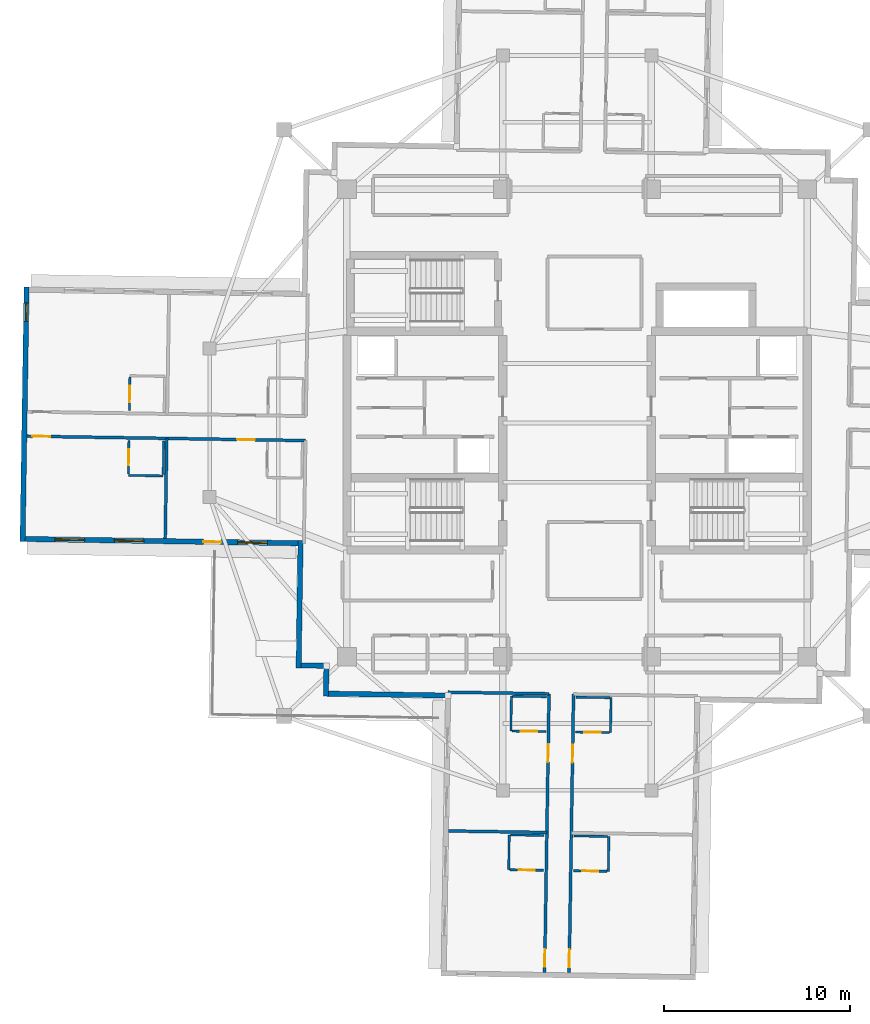
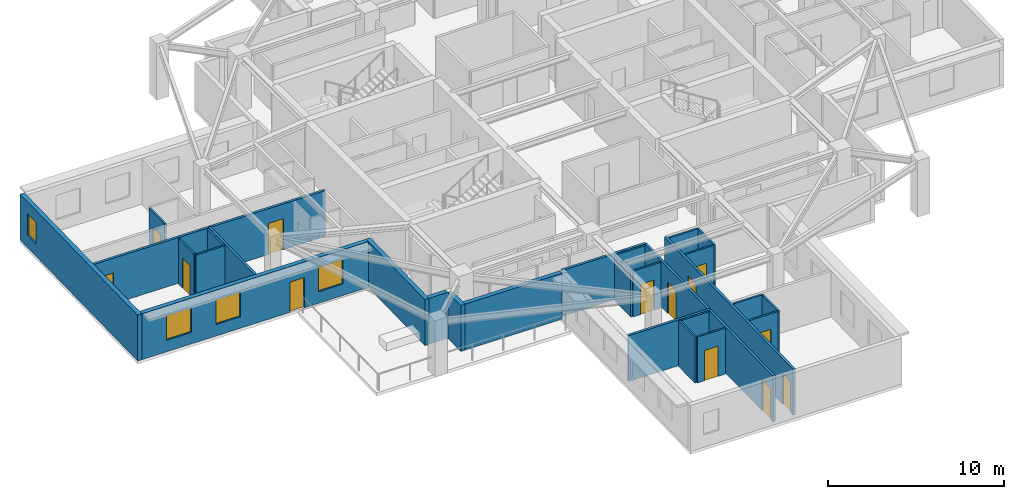
# One storey, part 3 of 12: 28 walls, 13 doors, 4 windows, 17 openings.
"""IFC4 building model written with IfcOpenShell, lengths in metres."""

from ifc_helpers import new_model, si_unit, direction, frame, frame_2d, origin, place, context, subcontext, project, spatial, rectangle, extrude, material, layer, layer_set, type_object, element, fill, save


model = new_model("IFC4")

# Units and contexts
model_context = context("Model", 3, precision=1e-05, world=origin(), true_north=direction((0.0, 1.0)))
body_context = subcontext(model_context, "Body", "Model", "MODEL_VIEW")
ifc_project = project(units=[si_unit("LENGTHUNIT", "METRE"), si_unit("AREAUNIT", "SQUARE_METRE"), si_unit("VOLUMEUNIT", "CUBIC_METRE"), si_unit("PLANEANGLEUNIT", "RADIAN"), si_unit("MASSUNIT", "GRAM", prefix="KILO")], contexts=[model_context])

# Site, building, storey
site_placement = place(None, origin())
site = spatial("IfcSite", under=ifc_project, at=site_placement, CompositionType="ELEMENT")
building_placement = place(site_placement, origin())
building = spatial("IfcBuilding", under=site, at=building_placement, Name="Qingluan Cross Belvedere", CompositionType="ELEMENT")
storey_placement = place(building_placement, frame((0.0, 0.0, 261.60009765625)))
storey = spatial("IfcBuildingStorey", under=building, at=storey_placement, Name="L65", CompositionType="ELEMENT", Elevation=261.60009765625)

# Wall, openings, doors
ifc_material_1 = material(Name="Gypsum plasterboard on steel stud acoustic partition", Category="steel")
ifc_layer_1 = layer(ifc_material_1, 0.159912109375, Name="CorridorPartition_160")
ifc_layer_set_1 = layer_set([ifc_layer_1], Name="Gypsum plasterboard on steel stud acoustic partition")
wall_type_1 = type_object("IfcWallType", Name="CorridorPartition_160", PredefinedType="PARTITIONING", material=ifc_layer_set_1)
wall_1_placement = place(storey_placement, frame((-14.63671875, -0.9501953125, 0.0), z_axis=(0.0, 0.0, 1.0), x_axis=(-0.999876590701, 0.015709976686, 0.0)))
wall_1 = element("IfcWall", 1, at=wall_1_placement, inside=storey, type_object=wall_type_1, Name="Partition L65:W:c1", PredefinedType="PARTITIONING", context=body_context, shape_type="SweptSolid", body=[
    extrude(rectangle(XDim=15.01220703125, YDim=0.159912109375, at=frame_2d((7.506103515625, 0.0))), origin(), (0.0, 0.0, 1.0), 3.169921875),
])
opening_1_placement = place(wall_1_placement, frame((2.72802734375, 0.0, 0.0)))
opening_1 = element("IfcOpeningElement", 2, at=opening_1_placement, cuts=wall_1, Name="Opening GD-10", PredefinedType="OPENING", context=body_context, shape_type="SweptSolid", body=[
    extrude(rectangle(XDim=0.9599609375, YDim=2.14990234375, at=frame_2d((0.47998046875, 1.074951171875))), frame((0.0, 0.08984375, 0.0), z_axis=(0.0, -1.0, 0.0), x_axis=(1.0, 0.0, 0.0)), (0.0, 0.0, 1.0), 0.179931640625),
])
opening_2_placement = place(wall_1_placement, frame((13.760009765625, 0.0, 0.0)))
opening_2 = element("IfcOpeningElement", 3, at=opening_2_placement, cuts=wall_1, Name="Opening GD-10", PredefinedType="OPENING", context=body_context, shape_type="SweptSolid", body=[
    extrude(rectangle(XDim=0.9599609375, YDim=2.14990234375, at=frame_2d((0.47998046875, 1.074951171875))), frame((0.0, 0.08984375, 0.0), z_axis=(0.0, -1.0, 0.0), x_axis=(1.0, 0.0, 0.0)), (0.0, 0.0, 1.0), 0.179931640625),
])
ifc_material_2 = material(Name="Timber oak fire-rated acoustic guestroom door", Category="wood")
door_type_1 = type_object("IfcDoorType", Name="GuestEntryDoor_FD60", OperationType="NOTDEFINED", PredefinedType="DOOR", material=ifc_material_2)
door_1_placement = place(opening_1_placement, origin())
door_1 = element("IfcDoor", 4, at=door_1_placement, inside=storey, type_object=door_type_1, Name="Guest entry fire door 6507", OperationType="SINGLE_SWING_RIGHT", OverallHeight=2.14990234375, OverallWidth=0.9599609375, PredefinedType="DOOR", context=body_context, shape_type="SweptSolid", body=[
    extrude(rectangle(XDim=0.9599609375, YDim=2.14990234375, at=frame_2d((0.47998046875, 1.074951171875))), frame((0.0, 0.02490234375, 0.0), z_axis=(0.0, -1.0, 0.0), x_axis=(1.0, 0.0, 0.0)), (0.0, 0.0, 1.0), 0.050048828125),
])
fill(opening_1, door_1)
door_2_placement = place(opening_2_placement, origin())
door_2 = element("IfcDoor", 5, at=door_2_placement, inside=storey, type_object=door_type_1, Name="Guest entry fire door 6508", OperationType="SINGLE_SWING_RIGHT", OverallHeight=2.14990234375, OverallWidth=0.9599609375, PredefinedType="DOOR", context=body_context, shape_type="SweptSolid", body=[
    extrude(rectangle(XDim=0.9599609375, YDim=2.14990234375, at=frame_2d((0.47998046875, 1.074951171875))), frame((0.0, 0.02490234375, 0.0), z_axis=(0.0, -1.0, 0.0), x_axis=(1.0, 0.0, 0.0)), (0.0, 0.0, 1.0), 0.050048828125),
])
fill(opening_2, door_2)

# Wall
wall_2_placement = place(storey_placement, frame((-22.11279296875, -0.832763671875, 0.0), z_axis=(0.0, 0.0, 1.0), x_axis=(-0.015711505169, -0.999876566685, 0.0)))
element("IfcWall", 6, at=wall_2_placement, inside=storey, type_object=wall_type_1, Name="Partition L65:W:d1_0", PredefinedType="PARTITIONING", context=body_context, shape_type="SweptSolid", body=[
    extrude(rectangle(XDim=5.39208984375, YDim=0.159912109375, at=frame_2d((2.696044921875, 0.0))), origin(), (0.0, 0.0, 1.0), 3.169921875),
])

# Wall, openings, doors
wall_3_placement = place(storey_placement, frame((-0.189697265625, -14.618896484375, 0.0), z_axis=(0.0, 0.0, 1.0), x_axis=(-0.015710232149, -0.999876586687, 0.0)))
wall_3 = element("IfcWall", 7, at=wall_3_placement, inside=storey, type_object=wall_type_1, Name="Partition L65:S:c0", PredefinedType="PARTITIONING", context=body_context, shape_type="SweptSolid", body=[
    extrude(rectangle(XDim=15.011962890625, YDim=0.159912109375, at=frame_2d((7.505859375, 0.0))), origin(), (0.0, 0.0, 1.0), 3.169921875),
])
opening_3_placement = place(wall_3_placement, frame((2.72802734375, 0.0, 0.0)))
opening_3 = element("IfcOpeningElement", 8, at=opening_3_placement, cuts=wall_3, Name="Opening GD-10", PredefinedType="OPENING", context=body_context, shape_type="SweptSolid", body=[
    extrude(rectangle(XDim=0.9599609375, YDim=2.14990234375, at=frame_2d((0.47998046875, 1.074951171875))), frame((0.0, 0.08984375, 0.0), z_axis=(0.0, -1.0, 0.0), x_axis=(1.0, 0.0, 0.0)), (0.0, 0.0, 1.0), 0.179931640625),
])
opening_4_placement = place(wall_3_placement, frame((13.760009765625, 0.0, 0.0)))
opening_4 = element("IfcOpeningElement", 9, at=opening_4_placement, cuts=wall_3, Name="Opening GD-10", PredefinedType="OPENING", context=body_context, shape_type="SweptSolid", body=[
    extrude(rectangle(XDim=0.9599609375, YDim=2.14990234375, at=frame_2d((0.47998046875, 1.074951171875))), frame((0.0, 0.08984375, 0.0), z_axis=(0.0, -1.0, 0.0), x_axis=(1.0, 0.0, 0.0)), (0.0, 0.0, 1.0), 0.179931640625),
])
door_3_placement = place(opening_3_placement, origin())
door_3 = element("IfcDoor", 10, at=door_3_placement, inside=storey, type_object=door_type_1, Name="Guest entry fire door 6513", OperationType="SINGLE_SWING_RIGHT", OverallHeight=2.14990234375, OverallWidth=0.9599609375, PredefinedType="DOOR", context=body_context, shape_type="SweptSolid", body=[
    extrude(rectangle(XDim=0.9599609375, YDim=2.14990234375, at=frame_2d((0.47998046875, 1.074951171875))), frame((0.0, 0.02490234375, 0.0), z_axis=(0.0, -1.0, 0.0), x_axis=(1.0, 0.0, 0.0)), (0.0, 0.0, 1.0), 0.050048828125),
])
fill(opening_3, door_3)
door_4_placement = place(opening_4_placement, origin())
door_4 = element("IfcDoor", 11, at=door_4_placement, inside=storey, type_object=door_type_1, Name="Guest entry fire door 6514", OperationType="SINGLE_SWING_RIGHT", OverallHeight=2.14990234375, OverallWidth=0.9599609375, PredefinedType="DOOR", context=body_context, shape_type="SweptSolid", body=[
    extrude(rectangle(XDim=0.9599609375, YDim=2.14990234375, at=frame_2d((0.47998046875, 1.074951171875))), frame((0.0, 0.02490234375, 0.0), z_axis=(0.0, -1.0, 0.0), x_axis=(1.0, 0.0, 0.0)), (0.0, 0.0, 1.0), 0.050048828125),
])
fill(opening_4, door_4)

wall_4_placement = place(storey_placement, frame((-1.509521484375, -14.59814453125, 0.0), z_axis=(0.0, 0.0, 1.0), x_axis=(-0.015709976686, -0.999876590701, 0.0)))
wall_4 = element("IfcWall", 12, at=wall_4_placement, inside=storey, type_object=wall_type_1, Name="Partition L65:S:c1", PredefinedType="PARTITIONING", context=body_context, shape_type="SweptSolid", body=[
    extrude(rectangle(XDim=15.01220703125, YDim=0.159912109375, at=frame_2d((7.506103515625, 0.0))), origin(), (0.0, 0.0, 1.0), 3.169921875),
])
opening_5_placement = place(wall_4_placement, frame((2.72802734375, 0.0, 0.0)))
opening_5 = element("IfcOpeningElement", 13, at=opening_5_placement, cuts=wall_4, Name="Opening GD-10", PredefinedType="OPENING", context=body_context, shape_type="SweptSolid", body=[
    extrude(rectangle(XDim=0.9599609375, YDim=2.14990234375, at=frame_2d((0.47998046875, 1.074951171875))), frame((0.0, 0.08984375, 0.0), z_axis=(0.0, -1.0, 0.0), x_axis=(1.0, 0.0, 0.0)), (0.0, 0.0, 1.0), 0.179931640625),
])
opening_6_placement = place(wall_4_placement, frame((13.760009765625, 0.0, 0.0)))
opening_6 = element("IfcOpeningElement", 14, at=opening_6_placement, cuts=wall_4, Name="Opening GD-10", PredefinedType="OPENING", context=body_context, shape_type="SweptSolid", body=[
    extrude(rectangle(XDim=0.9599609375, YDim=2.14990234375, at=frame_2d((0.47998046875, 1.074951171875))), frame((0.0, 0.08984375, 0.0), z_axis=(0.0, -1.0, 0.0), x_axis=(1.0, 0.0, 0.0)), (0.0, 0.0, 1.0), 0.179931640625),
])
door_5_placement = place(opening_5_placement, origin())
door_5 = element("IfcDoor", 15, at=door_5_placement, inside=storey, type_object=door_type_1, Name="Guest entry fire door 6515", OperationType="SINGLE_SWING_RIGHT", OverallHeight=2.14990234375, OverallWidth=0.9599609375, PredefinedType="DOOR", context=body_context, shape_type="SweptSolid", body=[
    extrude(rectangle(XDim=0.9599609375, YDim=2.14990234375, at=frame_2d((0.47998046875, 1.074951171875))), frame((0.0, 0.02490234375, 0.0), z_axis=(0.0, -1.0, 0.0), x_axis=(1.0, 0.0, 0.0)), (0.0, 0.0, 1.0), 0.050048828125),
])
fill(opening_5, door_5)
door_6_placement = place(opening_6_placement, origin())
door_6 = element("IfcDoor", 16, at=door_6_placement, inside=storey, type_object=door_type_1, Name="Guest entry fire door 6516", OperationType="SINGLE_SWING_RIGHT", OverallHeight=2.14990234375, OverallWidth=0.9599609375, PredefinedType="DOOR", context=body_context, shape_type="SweptSolid", body=[
    extrude(rectangle(XDim=0.9599609375, YDim=2.14990234375, at=frame_2d((0.47998046875, 1.074951171875))), frame((0.0, 0.02490234375, 0.0), z_axis=(0.0, -1.0, 0.0), x_axis=(1.0, 0.0, 0.0)), (0.0, 0.0, 1.0), 0.050048828125),
])
fill(opening_6, door_6)

# Walls
wall_5_placement = place(storey_placement, frame((-1.509521484375, -14.59814453125, 0.0), z_axis=(0.0, 0.0, 1.0), x_axis=(-0.999876622965, 0.015707923068, 0.0)))
element("IfcWall", 17, at=wall_5_placement, inside=storey, type_object=wall_type_1, Name="Partition L65:S:s1", PredefinedType="PARTITIONING", context=body_context, shape_type="SweptSolid", body=[
    extrude(rectangle(XDim=5.43994140625, YDim=0.159912109375, at=frame_2d((2.719970703125, 0.0))), origin(), (0.0, 0.0, 1.0), 3.169921875),
])
wall_6_placement = place(storey_placement, frame((-1.626953125, -22.07421875, 0.0), z_axis=(0.0, 0.0, 1.0), x_axis=(-0.999876245763, 0.015731915277, 0.0)))
element("IfcWall", 18, at=wall_6_placement, inside=storey, type_object=wall_type_1, Name="Partition L65:S:d1_0", PredefinedType="PARTITIONING", context=body_context, shape_type="SweptSolid", body=[
    extrude(rectangle(XDim=5.2919921875, YDim=0.159912109375, at=frame_2d((2.64599609375, 0.0))), origin(), (0.0, 0.0, 1.0), 3.169921875),
])

# Wall, opening, door
ifc_material_3 = material(Name="Moisture-resistant gypsum board lining")
ifc_layer_2 = layer(ifc_material_3, 0.1201171875, Name="EnsuiteWetPartition_120")
ifc_layer_set_2 = layer_set([ifc_layer_2], Name="Moisture-resistant gypsum board lining")
wall_type_2 = type_object("IfcWallType", Name="EnsuiteWetPartition_120", PredefinedType="PARTITIONING", material=ifc_layer_set_2)
wall_7_placement = place(storey_placement, frame((-24.129638671875, 0.6591796875, 0.0), z_axis=(0.0, 0.0, 1.0), x_axis=(0.015694337248, 0.999876836305, 0.0)))
wall_7 = element("IfcWall", 19, at=wall_7_placement, inside=storey, type_object=wall_type_2, Name="Partition L65:W:bs0_1", PredefinedType="PARTITIONING", context=body_context, shape_type="SweptSolid", body=[
    extrude(rectangle(XDim=1.820068359375, YDim=0.1201171875, at=frame_2d((0.91015625, 0.0))), origin(), (0.0, 0.0, 1.0), 3.169921875),
])
opening_7_placement = place(wall_7_placement, frame((0.469970703125, 0.0, 0.0)))
opening_7 = element("IfcOpeningElement", 20, at=opening_7_placement, cuts=wall_7, Name="Opening BD-09", PredefinedType="OPENING", context=body_context, shape_type="SweptSolid", body=[
    extrude(rectangle(XDim=0.8798828125, YDim=2.10009765625, at=frame_2d((0.43994140625, 1.050048828125))), frame((0.0, 0.070068359375, 0.0), z_axis=(0.0, -1.0, 0.0), x_axis=(1.0, 0.0, 0.0)), (0.0, 0.0, 1.0), 0.14013671875),
])
ifc_material_4 = material(Name="Moisture-sealed timber en-suite door", Category="wood")
door_type_2 = type_object("IfcDoorType", Name="BathroomDoor_880", OperationType="NOTDEFINED", PredefinedType="DOOR", material=ifc_material_4)
door_7_placement = place(opening_7_placement, origin())
door_7 = element("IfcDoor", 21, at=door_7_placement, inside=storey, type_object=door_type_2, Name="Bathroom door 6506", OperationType="SINGLE_SWING_LEFT", OverallHeight=2.10009765625, OverallWidth=0.8798828125, PredefinedType="DOOR", context=body_context, shape_type="SweptSolid", body=[
    extrude(rectangle(XDim=0.8798828125, YDim=2.10009765625, at=frame_2d((0.43994140625, 1.050048828125))), frame((0.0, 0.02490234375, 0.0), z_axis=(0.0, -1.0, 0.0), x_axis=(1.0, 0.0, 0.0)), (0.0, 0.0, 1.0), 0.050048828125),
])
fill(opening_7, door_7)

wall_8_placement = place(storey_placement, frame((-24.183349609375, -2.760498046875, 0.0), z_axis=(0.0, 0.0, 1.0), x_axis=(0.015694337248, 0.999876836305, 0.0)))
wall_8 = element("IfcWall", 22, at=wall_8_placement, inside=storey, type_object=wall_type_2, Name="Partition L65:W:bs1_1", PredefinedType="PARTITIONING", context=body_context, shape_type="SweptSolid", body=[
    extrude(rectangle(XDim=1.820068359375, YDim=0.1201171875, at=frame_2d((0.91015625, 0.0))), origin(), (0.0, 0.0, 1.0), 3.169921875),
])
opening_8_placement = place(wall_8_placement, frame((0.469970703125, 0.0, 0.0)))
opening_8 = element("IfcOpeningElement", 23, at=opening_8_placement, cuts=wall_8, Name="Opening BD-09", PredefinedType="OPENING", context=body_context, shape_type="SweptSolid", body=[
    extrude(rectangle(XDim=0.8798828125, YDim=2.10009765625, at=frame_2d((0.43994140625, 1.050048828125))), frame((0.0, 0.070068359375, 0.0), z_axis=(0.0, -1.0, 0.0), x_axis=(1.0, 0.0, 0.0)), (0.0, 0.0, 1.0), 0.14013671875),
])
door_8_placement = place(opening_8_placement, origin())
door_8 = element("IfcDoor", 24, at=door_8_placement, inside=storey, type_object=door_type_2, Name="Bathroom door 6508", OperationType="SINGLE_SWING_LEFT", OverallHeight=2.10009765625, OverallWidth=0.8798828125, PredefinedType="DOOR", context=body_context, shape_type="SweptSolid", body=[
    extrude(rectangle(XDim=0.8798828125, YDim=2.10009765625, at=frame_2d((0.43994140625, 1.050048828125))), frame((0.0, 0.02490234375, 0.0), z_axis=(0.0, -1.0, 0.0), x_axis=(1.0, 0.0, 0.0)), (0.0, 0.0, 1.0), 0.050048828125),
])
fill(opening_8, door_8)

# Walls
wall_9_placement = place(storey_placement, frame((-22.3037109375, -2.7900390625, 0.0), z_axis=(0.0, 0.0, 1.0), x_axis=(0.015828443418, 0.999874722342, 0.0)))
element("IfcWall", 25, at=wall_9_placement, inside=storey, type_object=wall_type_2, Name="Partition L65:W:bw1_1", PredefinedType="PARTITIONING", context=body_context, shape_type="SweptSolid", body=[
    extrude(rectangle(XDim=1.820068359375, YDim=0.1201171875, at=frame_2d((0.91015625, 0.0))), origin(), (0.0, 0.0, 1.0), 3.169921875),
])
wall_10_placement = place(storey_placement, frame((-22.3046875, -2.85498046875, 0.0), z_axis=(0.0, 0.0, 1.0), x_axis=(-0.99987652141, 0.015714386166, 0.0)))
element("IfcWall", 26, at=wall_10_placement, inside=storey, type_object=wall_type_2, Name="Partition L65:W:bc1_1", PredefinedType="PARTITIONING", context=body_context, shape_type="SweptSolid", body=[
    extrude(rectangle(XDim=1.8798828125, YDim=0.1201171875, at=frame_2d((0.93994140625, 0.0))), origin(), (0.0, 0.0, 1.0), 3.169921875),
])

# Wall, opening, door
wall_11_placement = place(storey_placement, frame((-0.081787109375, -16.660888671875, 0.0), z_axis=(0.0, 0.0, 1.0), x_axis=(0.999876836305, -0.015694337248, 0.0)))
wall_11 = element("IfcWall", 27, at=wall_11_placement, inside=storey, type_object=wall_type_2, Name="Partition L65:S:bs0_0", PredefinedType="PARTITIONING", context=body_context, shape_type="SweptSolid", body=[
    extrude(rectangle(XDim=1.820068359375, YDim=0.1201171875, at=frame_2d((0.91015625, 0.0))), origin(), (0.0, 0.0, 1.0), 3.169921875),
])
opening_9_placement = place(wall_11_placement, frame((0.469970703125, 0.0, 0.0)))
opening_9 = element("IfcOpeningElement", 28, at=opening_9_placement, cuts=wall_11, Name="Opening BD-09", PredefinedType="OPENING", context=body_context, shape_type="SweptSolid", body=[
    extrude(rectangle(XDim=0.8798828125, YDim=2.10009765625, at=frame_2d((0.43994140625, 1.050048828125))), frame((0.0, 0.070068359375, 0.0), z_axis=(0.0, -1.0, 0.0), x_axis=(1.0, 0.0, 0.0)), (0.0, 0.0, 1.0), 0.14013671875),
])
door_9_placement = place(opening_9_placement, origin())
door_9 = element("IfcDoor", 29, at=door_9_placement, inside=storey, type_object=door_type_2, Name="Bathroom door 6513", OperationType="SINGLE_SWING_LEFT", OverallHeight=2.10009765625, OverallWidth=0.8798828125, PredefinedType="DOOR", context=body_context, shape_type="SweptSolid", body=[
    extrude(rectangle(XDim=0.8798828125, YDim=2.10009765625, at=frame_2d((0.43994140625, 1.050048828125))), frame((0.0, 0.02490234375, 0.0), z_axis=(0.0, -1.0, 0.0), x_axis=(1.0, 0.0, 0.0)), (0.0, 0.0, 1.0), 0.050048828125),
])
fill(opening_9, door_9)

# Walls
wall_12_placement = place(storey_placement, frame((-0.05224609375, -14.781005859375, 0.0), z_axis=(0.0, 0.0, 1.0), x_axis=(0.999876836305, -0.015694337248, 0.0)))
element("IfcWall", 30, at=wall_12_placement, inside=storey, type_object=wall_type_2, Name="Partition L65:S:bw0_0", PredefinedType="PARTITIONING", context=body_context, shape_type="SweptSolid", body=[
    extrude(rectangle(XDim=1.820068359375, YDim=0.1201171875, at=frame_2d((0.91015625, 0.0))), origin(), (0.0, 0.0, 1.0), 3.169921875),
])
wall_13_placement = place(storey_placement, frame((1.83251953125, -14.810546875, 0.0), z_axis=(0.0, 0.0, 1.0), x_axis=(-0.01571234584, -0.999876553475, 0.0)))
element("IfcWall", 31, at=wall_13_placement, inside=storey, type_object=wall_type_2, Name="Partition L65:S:bn0_0", PredefinedType="PARTITIONING", context=body_context, shape_type="SweptSolid", body=[
    extrude(rectangle(XDim=1.880126953125, YDim=0.1201171875, at=frame_2d((0.93994140625, 0.0))), origin(), (0.0, 0.0, 1.0), 3.169921875),
])

# Wall, opening, door
wall_14_placement = place(storey_placement, frame((-0.19921875, -24.13671875, 0.0), z_axis=(0.0, 0.0, 1.0), x_axis=(0.999876836305, -0.015694337248, 0.0)))
wall_14 = element("IfcWall", 32, at=wall_14_placement, inside=storey, type_object=wall_type_2, Name="Partition L65:S:bs0_1", PredefinedType="PARTITIONING", context=body_context, shape_type="SweptSolid", body=[
    extrude(rectangle(XDim=1.820068359375, YDim=0.1201171875, at=frame_2d((0.91015625, 0.0))), origin(), (0.0, 0.0, 1.0), 3.169921875),
])
opening_10_placement = place(wall_14_placement, frame((0.469970703125, 0.0, 0.0)))
opening_10 = element("IfcOpeningElement", 33, at=opening_10_placement, cuts=wall_14, Name="Opening BD-09", PredefinedType="OPENING", context=body_context, shape_type="SweptSolid", body=[
    extrude(rectangle(XDim=0.8798828125, YDim=2.10009765625, at=frame_2d((0.43994140625, 1.050048828125))), frame((0.0, 0.070068359375, 0.0), z_axis=(0.0, -1.0, 0.0), x_axis=(1.0, 0.0, 0.0)), (0.0, 0.0, 1.0), 0.14013671875),
])
door_10_placement = place(opening_10_placement, origin())
door_10 = element("IfcDoor", 34, at=door_10_placement, inside=storey, type_object=door_type_2, Name="Bathroom door 6514", OperationType="SINGLE_SWING_LEFT", OverallHeight=2.10009765625, OverallWidth=0.8798828125, PredefinedType="DOOR", context=body_context, shape_type="SweptSolid", body=[
    extrude(rectangle(XDim=0.8798828125, YDim=2.10009765625, at=frame_2d((0.43994140625, 1.050048828125))), frame((0.0, 0.02490234375, 0.0), z_axis=(0.0, -1.0, 0.0), x_axis=(1.0, 0.0, 0.0)), (0.0, 0.0, 1.0), 0.050048828125),
])
fill(opening_10, door_10)

# Walls
wall_15_placement = place(storey_placement, frame((-0.169677734375, -22.257080078125, 0.0), z_axis=(0.0, 0.0, 1.0), x_axis=(0.999876836305, -0.015694337248, 0.0)))
element("IfcWall", 35, at=wall_15_placement, inside=storey, type_object=wall_type_2, Name="Partition L65:S:bw0_1", PredefinedType="PARTITIONING", context=body_context, shape_type="SweptSolid", body=[
    extrude(rectangle(XDim=1.820068359375, YDim=0.1201171875, at=frame_2d((0.91015625, 0.0))), origin(), (0.0, 0.0, 1.0), 3.169921875),
])
wall_16_placement = place(storey_placement, frame((1.715087890625, -22.28662109375, 0.0), z_axis=(0.0, 0.0, 1.0), x_axis=(-0.01571234584, -0.999876553475, 0.0)))
element("IfcWall", 36, at=wall_16_placement, inside=storey, type_object=wall_type_2, Name="Partition L65:S:bn0_1", PredefinedType="PARTITIONING", context=body_context, shape_type="SweptSolid", body=[
    extrude(rectangle(XDim=1.880126953125, YDim=0.1201171875, at=frame_2d((0.93994140625, 0.0))), origin(), (0.0, 0.0, 1.0), 3.169921875),
])

# Wall, opening, door
wall_17_placement = place(storey_placement, frame((-3.501220703125, -16.607177734375, 0.0), z_axis=(0.0, 0.0, 1.0), x_axis=(0.999878932289, -0.015560230231, 0.0)))
wall_17 = element("IfcWall", 37, at=wall_17_placement, inside=storey, type_object=wall_type_2, Name="Partition L65:S:bs1_0", PredefinedType="PARTITIONING", context=body_context, shape_type="SweptSolid", body=[
    extrude(rectangle(XDim=1.820068359375, YDim=0.1201171875, at=frame_2d((0.91015625, 0.0))), origin(), (0.0, 0.0, 1.0), 3.169921875),
])
opening_11_placement = place(wall_17_placement, frame((0.469970703125, 0.0, 0.0)))
opening_11 = element("IfcOpeningElement", 38, at=opening_11_placement, cuts=wall_17, Name="Opening BD-09", PredefinedType="OPENING", context=body_context, shape_type="SweptSolid", body=[
    extrude(rectangle(XDim=0.8798828125, YDim=2.10009765625, at=frame_2d((0.43994140625, 1.050048828125))), frame((0.0, 0.070068359375, 0.0), z_axis=(0.0, -1.0, 0.0), x_axis=(1.0, 0.0, 0.0)), (0.0, 0.0, 1.0), 0.14013671875),
])
door_11_placement = place(opening_11_placement, origin())
door_11 = element("IfcDoor", 39, at=door_11_placement, inside=storey, type_object=door_type_2, Name="Bathroom door 6515", OperationType="SINGLE_SWING_LEFT", OverallHeight=2.10009765625, OverallWidth=0.8798828125, PredefinedType="DOOR", context=body_context, shape_type="SweptSolid", body=[
    extrude(rectangle(XDim=0.8798828125, YDim=2.10009765625, at=frame_2d((0.43994140625, 1.050048828125))), frame((0.0, 0.02490234375, 0.0), z_axis=(0.0, -1.0, 0.0), x_axis=(1.0, 0.0, 0.0)), (0.0, 0.0, 1.0), 0.050048828125),
])
fill(opening_11, door_11)

# Walls
wall_18_placement = place(storey_placement, frame((-3.4716796875, -14.727294921875, 0.0), z_axis=(0.0, 0.0, 1.0), x_axis=(0.999876803258, -0.015696442504, 0.0)))
element("IfcWall", 40, at=wall_18_placement, inside=storey, type_object=wall_type_2, Name="Partition L65:S:bw1_0", PredefinedType="PARTITIONING", context=body_context, shape_type="SweptSolid", body=[
    extrude(rectangle(XDim=1.81982421875, YDim=0.1201171875, at=frame_2d((0.909912109375, 0.0))), origin(), (0.0, 0.0, 1.0), 3.169921875),
])
wall_19_placement = place(storey_placement, frame((-3.53662109375, -14.726318359375, 0.0), z_axis=(0.0, 0.0, 1.0), x_axis=(-0.015844224657, -0.999874472394, 0.0)))
element("IfcWall", 41, at=wall_19_placement, inside=storey, type_object=wall_type_2, Name="Partition L65:S:bc1_0", PredefinedType="PARTITIONING", context=body_context, shape_type="SweptSolid", body=[
    extrude(rectangle(XDim=1.8798828125, YDim=0.1201171875, at=frame_2d((0.93994140625, 0.0))), origin(), (0.0, 0.0, 1.0), 3.169921875),
])

# Wall, opening, door
wall_20_placement = place(storey_placement, frame((-3.61865234375, -24.0830078125, 0.0), z_axis=(0.0, 0.0, 1.0), x_axis=(0.999874688728, -0.015830566654, 0.0)))
wall_20 = element("IfcWall", 42, at=wall_20_placement, inside=storey, type_object=wall_type_2, Name="Partition L65:S:bs1_1", PredefinedType="PARTITIONING", context=body_context, shape_type="SweptSolid", body=[
    extrude(rectangle(XDim=1.81982421875, YDim=0.1201171875, at=frame_2d((0.909912109375, 0.0))), origin(), (0.0, 0.0, 1.0), 3.169921875),
])
opening_12_placement = place(wall_20_placement, frame((0.469970703125, 0.0, 0.0)))
opening_12 = element("IfcOpeningElement", 43, at=opening_12_placement, cuts=wall_20, Name="Opening BD-09", PredefinedType="OPENING", context=body_context, shape_type="SweptSolid", body=[
    extrude(rectangle(XDim=0.8798828125, YDim=2.10009765625, at=frame_2d((0.43994140625, 1.050048828125))), frame((0.0, 0.070068359375, 0.0), z_axis=(0.0, -1.0, 0.0), x_axis=(1.0, 0.0, 0.0)), (0.0, 0.0, 1.0), 0.14013671875),
])
door_12_placement = place(opening_12_placement, origin())
door_12 = element("IfcDoor", 44, at=door_12_placement, inside=storey, type_object=door_type_2, Name="Bathroom door 6516", OperationType="SINGLE_SWING_LEFT", OverallHeight=2.10009765625, OverallWidth=0.8798828125, PredefinedType="DOOR", context=body_context, shape_type="SweptSolid", body=[
    extrude(rectangle(XDim=0.8798828125, YDim=2.10009765625, at=frame_2d((0.43994140625, 1.050048828125))), frame((0.0, 0.02490234375, 0.0), z_axis=(0.0, -1.0, 0.0), x_axis=(1.0, 0.0, 0.0)), (0.0, 0.0, 1.0), 0.050048828125),
])
fill(opening_12, door_12)

# Walls
wall_21_placement = place(storey_placement, frame((-3.589111328125, -22.203369140625, 0.0), z_axis=(0.0, 0.0, 1.0), x_axis=(0.999876836305, -0.015694337248, 0.0)))
element("IfcWall", 45, at=wall_21_placement, inside=storey, type_object=wall_type_2, Name="Partition L65:S:bw1_1", PredefinedType="PARTITIONING", context=body_context, shape_type="SweptSolid", body=[
    extrude(rectangle(XDim=1.820068359375, YDim=0.1201171875, at=frame_2d((0.91015625, 0.0))), origin(), (0.0, 0.0, 1.0), 3.169921875),
])
wall_22_placement = place(storey_placement, frame((-3.654296875, -22.202392578125, 0.0), z_axis=(0.0, 0.0, 1.0), x_axis=(-0.01558454688, -0.999878553575, 0.0)))
element("IfcWall", 46, at=wall_22_placement, inside=storey, type_object=wall_type_2, Name="Partition L65:S:bc1_1", PredefinedType="PARTITIONING", context=body_context, shape_type="SweptSolid", body=[
    extrude(rectangle(XDim=1.8798828125, YDim=0.1201171875, at=frame_2d((0.93994140625, 0.0))), origin(), (0.0, 0.0, 1.0), 3.169921875),
])

# Wall, openings, windows, door
ifc_material_5 = material(Name="Precast concrete C45", Category="concrete")
ifc_layer_3 = layer(ifc_material_5, 0.280029296875, Name="PrecastFacadeWall_280")
ifc_layer_set_3 = layer_set([ifc_layer_3], Name="Precast concrete C45")
wall_type_3 = type_object("IfcWallType", Name="PrecastFacadeWall_280", PredefinedType="STANDARD", material=ifc_layer_set_3)
wall_23_placement = place(storey_placement, frame((-29.741943359375, -6.253662109375, 0.0), z_axis=(0.0, 0.0, 1.0), x_axis=(0.999876569875, -0.015711302158, 0.0)))
wall_23 = element("IfcWall", 47, at=wall_23_placement, inside=storey, type_object=wall_type_3, Name="Facade wall L65-WB", PredefinedType="STANDARD", context=body_context, shape_type="SweptSolid", body=[
    extrude(rectangle(XDim=14.699951171875, YDim=0.280029296875, at=frame_2d((7.35009765625, 0.0))), origin(), (0.0, 0.0, 1.0), 3.179931640625),
])
opening_13_placement = place(wall_23_placement, frame((1.60009765625, 0.0, 0.800048828125)))
opening_13 = element("IfcOpeningElement", 48, at=opening_13_placement, cuts=wall_23, Name="Opening W-04", PredefinedType="OPENING", context=body_context, shape_type="SweptSolid", body=[
    extrude(rectangle(XDim=1.60009765625, YDim=1.699951171875, at=frame_2d((0.800048828125, 0.85009765625))), frame((0.0, 0.14990234375, 0.0), z_axis=(0.0, -1.0, 0.0), x_axis=(1.0, 0.0, 0.0)), (0.0, 0.0, 1.0), 0.300048828125),
])
opening_14_placement = place(wall_23_placement, frame((4.800048828125, 0.0, 0.800048828125)))
opening_14 = element("IfcOpeningElement", 49, at=opening_14_placement, cuts=wall_23, Name="Opening W-04", PredefinedType="OPENING", context=body_context, shape_type="SweptSolid", body=[
    extrude(rectangle(XDim=1.60009765625, YDim=1.699951171875, at=frame_2d((0.800048828125, 0.85009765625))), frame((0.0, 0.14990234375, 0.0), z_axis=(0.0, -1.0, 0.0), x_axis=(1.0, 0.0, 0.0)), (0.0, 0.0, 1.0), 0.300048828125),
])
opening_15_placement = place(wall_23_placement, frame((11.449951171875, 0.0, 0.800048828125)))
opening_15 = element("IfcOpeningElement", 50, at=opening_15_placement, cuts=wall_23, Name="Opening W-04", PredefinedType="OPENING", context=body_context, shape_type="SweptSolid", body=[
    extrude(rectangle(XDim=1.60009765625, YDim=1.699951171875, at=frame_2d((0.800048828125, 0.85009765625))), frame((0.0, 0.14990234375, 0.0), z_axis=(0.0, -1.0, 0.0), x_axis=(1.0, 0.0, 0.0)), (0.0, 0.0, 1.0), 0.300048828125),
])
opening_16_placement = place(wall_23_placement, frame((9.60009765625, 0.0, 0.0)))
opening_16 = element("IfcOpeningElement", 51, at=opening_16_placement, cuts=wall_23, Name="Opening WD-10", PredefinedType="OPENING", context=body_context, shape_type="SweptSolid", body=[
    extrude(rectangle(XDim=0.9599609375, YDim=2.10009765625, at=frame_2d((0.47998046875, 1.050048828125))), frame((0.0, 0.14990234375, 0.0), z_axis=(0.0, -1.0, 0.0), x_axis=(1.0, 0.0, 0.0)), (0.0, 0.0, 1.0), 0.300048828125),
])
ifc_material_6 = material(Name="Thermally broken triple Low-E glass in aluminium frame", Category="aluminium")
window_type_1 = type_object("IfcWindowType", Name="SuiteCornerWin_1600x1700", PartitioningType="SINGLE_PANEL", PredefinedType="WINDOW", material=ifc_material_6)
window_1_placement = place(opening_13_placement, origin())
window_1 = element("IfcWindow", 52, at=window_1_placement, inside=storey, type_object=window_type_1, Name="Ribbon window L65-WB-1", OverallHeight=1.699951171875, OverallWidth=1.60009765625, PartitioningType="SINGLE_PANEL", PredefinedType="WINDOW", context=body_context, shape_type="SweptSolid", body=[
    extrude(rectangle(XDim=1.60009765625, YDim=1.699951171875, at=frame_2d((0.800048828125, 0.85009765625))), frame((0.0, 0.030029296875, 0.0), z_axis=(0.0, -1.0, 0.0), x_axis=(1.0, 0.0, 0.0)), (0.0, 0.0, 1.0), 0.06005859375),
])
fill(opening_13, window_1)
window_2_placement = place(opening_14_placement, origin())
window_2 = element("IfcWindow", 53, at=window_2_placement, inside=storey, type_object=window_type_1, Name="Ribbon window L65-WB-2", OverallHeight=1.699951171875, OverallWidth=1.60009765625, PartitioningType="SINGLE_PANEL", PredefinedType="WINDOW", context=body_context, shape_type="SweptSolid", body=[
    extrude(rectangle(XDim=1.60009765625, YDim=1.699951171875, at=frame_2d((0.800048828125, 0.85009765625))), frame((0.0, 0.030029296875, 0.0), z_axis=(0.0, -1.0, 0.0), x_axis=(1.0, 0.0, 0.0)), (0.0, 0.0, 1.0), 0.06005859375),
])
fill(opening_14, window_2)
window_3_placement = place(opening_15_placement, origin())
window_3 = element("IfcWindow", 54, at=window_3_placement, inside=storey, type_object=window_type_1, Name="Ribbon window L65-WB-4", OverallHeight=1.699951171875, OverallWidth=1.60009765625, PartitioningType="SINGLE_PANEL", PredefinedType="WINDOW", context=body_context, shape_type="SweptSolid", body=[
    extrude(rectangle(XDim=1.60009765625, YDim=1.699951171875, at=frame_2d((0.800048828125, 0.85009765625))), frame((0.0, 0.030029296875, 0.0), z_axis=(0.0, -1.0, 0.0), x_axis=(1.0, 0.0, 0.0)), (0.0, 0.0, 1.0), 0.06005859375),
])
fill(opening_15, window_3)
ifc_material_7 = material(Name="Thermally broken aluminium and Low-E glass", Category="aluminium")
door_type_3 = type_object("IfcDoorType", Name="WinterGardenDoor_096", OperationType="NOTDEFINED", PredefinedType="DOOR", material=ifc_material_7)
door_13_placement = place(opening_16_placement, origin())
door_13 = element("IfcDoor", 55, at=door_13_placement, inside=storey, type_object=door_type_3, Name="Outdoor terrace access door L65-spi", OperationType="SINGLE_SWING_RIGHT", OverallHeight=2.10009765625, OverallWidth=0.9599609375, PredefinedType="DOOR", context=body_context, shape_type="SweptSolid", body=[
    extrude(rectangle(XDim=0.9599609375, YDim=2.10009765625, at=frame_2d((0.47998046875, 1.050048828125))), frame((0.0, 0.02490234375, 0.0), z_axis=(0.0, -1.0, 0.0), x_axis=(1.0, 0.0, 0.0)), (0.0, 0.0, 1.0), 0.050048828125),
])
fill(opening_16, door_13)

# Wall, opening, window
wall_24_placement = place(storey_placement, frame((-29.668701171875, 7.326904296875, 0.0), z_axis=(0.0, 0.0, 1.0), x_axis=(-0.015694809807, -0.999876828887, 0.0)))
wall_24 = element("IfcWall", 56, at=wall_24_placement, inside=storey, type_object=wall_type_3, Name="Arm tip precast facade wall L65-W", PredefinedType="STANDARD", context=body_context, shape_type="SweptSolid", body=[
    extrude(rectangle(XDim=13.719970703125, YDim=0.280029296875, at=frame_2d((6.85986328125, 0.0))), origin(), (0.0, 0.0, 1.0), 3.179931640625),
])
opening_17_placement = place(wall_24_placement, frame((0.85009765625, 0.0, 0.85009765625)))
opening_17 = element("IfcOpeningElement", 57, at=opening_17_placement, cuts=wall_24, Name="Opening W-03", PredefinedType="OPENING", context=body_context, shape_type="SweptSolid", body=[
    extrude(rectangle(XDim=1.0, YDim=1.5, at=frame_2d((0.5, 0.75))), frame((0.0, 0.14990234375, 0.0), z_axis=(0.0, -1.0, 0.0), x_axis=(1.0, 0.0, 0.0)), (0.0, 0.0, 1.0), 0.300048828125),
])
ifc_material_8 = material(Name="Thermally broken triple Low-E glass in aluminium frame", Category="aluminium")
window_type_2 = type_object("IfcWindowType", Name="TriApexWin_1000x1500", PartitioningType="SINGLE_PANEL", PredefinedType="WINDOW", material=ifc_material_8)
window_4_placement = place(opening_17_placement, origin())
window_4 = element("IfcWindow", 58, at=window_4_placement, inside=storey, type_object=window_type_2, Name="Arm tip triangular window L65-W", OverallHeight=1.5, OverallWidth=1.0, PartitioningType="SINGLE_PANEL", PredefinedType="WINDOW", context=body_context, shape_type="SweptSolid", body=[
    extrude(rectangle(XDim=1.0, YDim=1.5, at=frame_2d((0.5, 0.75))), frame((0.0, 0.030029296875, 0.0), z_axis=(0.0, -1.0, 0.0), x_axis=(1.0, 0.0, 0.0)), (0.0, 0.0, 1.0), 0.06005859375),
])
fill(opening_17, window_4)

# Walls
wall_25_placement = place(storey_placement, frame((-14.901611328125, -6.3466796875, 0.0), z_axis=(0.0, 0.0, 1.0), x_axis=(-0.015694809807, -0.999876828887, 0.0)))
element("IfcWall", 59, at=wall_25_placement, inside=storey, type_object=wall_type_3, Name="Corner wall L65-SW1", PredefinedType="STANDARD", context=body_context, shape_type="SweptSolid", body=[
    extrude(rectangle(XDim=6.85986328125, YDim=0.280029296875, at=frame_2d((3.429931640625, 0.0))), origin(), (0.0, 0.0, 1.0), 3.179931640625),
])
wall_26_placement = place(storey_placement, frame((-14.8671875, -13.068115234375, 0.0), z_axis=(0.0, 0.0, 1.0), x_axis=(0.999875053502, -0.015807510352, 0.0)))
element("IfcWall", 60, at=wall_26_placement, inside=storey, type_object=wall_type_3, Name="Corner wall L65-SW2", PredefinedType="STANDARD", context=body_context, shape_type="SweptSolid", body=[
    extrude(rectangle(XDim=1.22021484375, YDim=0.280029296875, at=frame_2d((0.610107421875, 0.0))), origin(), (0.0, 0.0, 1.0), 3.179931640625),
])
wall_27_placement = place(storey_placement, frame((-13.509521484375, -13.2294921875, 0.0), z_axis=(0.0, 0.0, 1.0), x_axis=(-0.015625635615, -0.999877912303, 0.0)))
element("IfcWall", 61, at=wall_27_placement, inside=storey, type_object=wall_type_3, Name="Corner wall L65-SW3", PredefinedType="STANDARD", context=body_context, shape_type="SweptSolid", body=[
    extrude(rectangle(XDim=1.5, YDim=0.280029296875, at=frame_2d((0.75, 0.0))), origin(), (0.0, 0.0, 1.0), 3.179931640625),
])
wall_28_placement = place(storey_placement, frame((-13.390869140625, -14.591552734375, 0.0), z_axis=(0.0, 0.0, 1.0), x_axis=(0.999876833368, -0.015694524359, 0.0)))
element("IfcWall", 62, at=wall_28_placement, inside=storey, type_object=wall_type_3, Name="Corner wall L65-SW4", PredefinedType="STANDARD", context=body_context, shape_type="SweptSolid", body=[
    extrude(rectangle(XDim=6.300048828125, YDim=0.280029296875, at=frame_2d((3.14990234375, 0.0))), origin(), (0.0, 0.0, 1.0), 3.179931640625),
])

save(model, "model.ifc")
